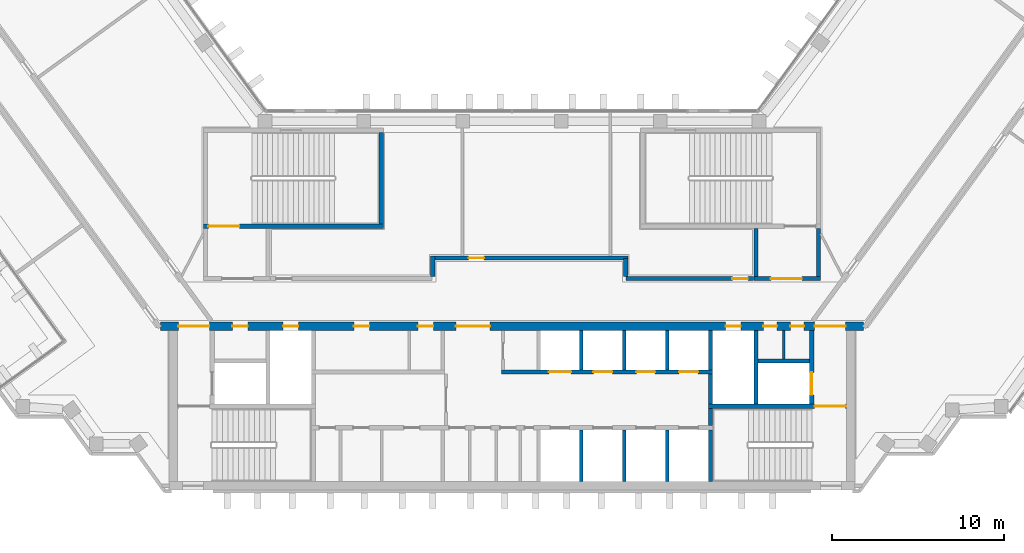
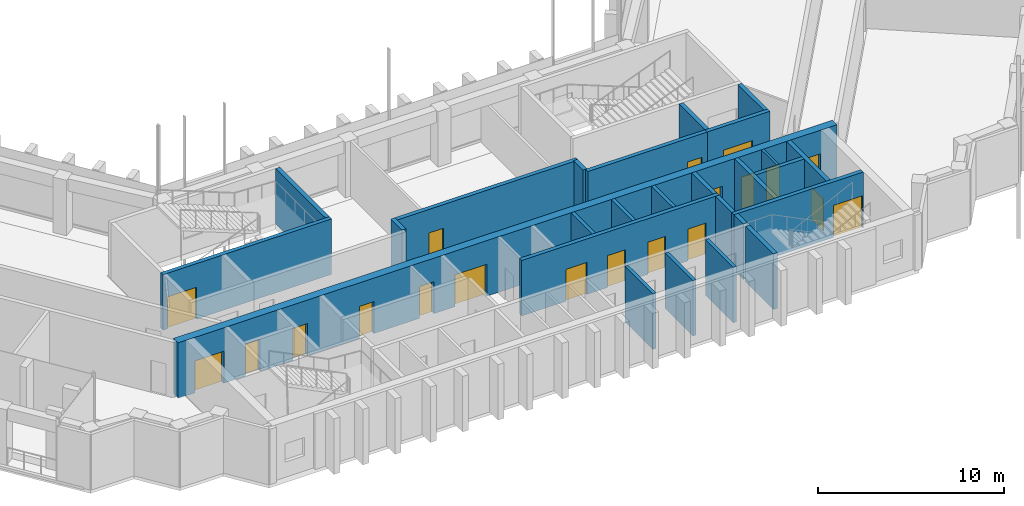
# One storey, part 10 of 15: 26 walls, 20 doors, 20 openings.
"""IFC4 building model written with IfcOpenShell, lengths in metres."""

import ifcopenshell
import ifcopenshell.guid

model = None  # the IFC model being written
_history = None  # IfcOwnerHistory: only IFC2X3 demands one
_inside = {}  # id of a spatial element -> (the spatial element, [elements in it])
_under = {}  # id of a project, library or spatial element -> (it, [spatial elements below it])
_declared = {}  # id of a project -> (the project, [libraries it declares])
_typed = {}  # id of a type object -> (the type object, [elements of that type])
_made_of = {}  # id of a material, layer set ... -> (it, [elements and type objects made of it])


def new_model(schema):
    """Start an empty IFC model of exactly this schema.

    Asked for "IFC4X3", IfcOpenShell would pick the latest addendum, in which some entities
    have other attributes; the version numbers below select the first issue.
    IFC2X3 requires an IfcOwnerHistory on every rooted entity: one is made here for all.
    """
    global model, _history
    if schema == "IFC4X3":
        model = ifcopenshell.file(schema_version=(4, 3, 0, 0))
    else:
        model = ifcopenshell.file(schema=schema)
    _inside.clear()
    _under.clear()
    _declared.clear()
    _typed.clear()
    _made_of.clear()
    _history = None
    if model.schema == "IFC2X3":
        org = make("IfcOrganization", Name="unknown")
        user = make(
            "IfcPersonAndOrganization",
            ThePerson=make("IfcPerson", FamilyName="unknown"),
            TheOrganization=org,
        )
        app = make(
            "IfcApplication",
            ApplicationDeveloper=org,
            Version="unknown",
            ApplicationFullName="unknown",
            ApplicationIdentifier="unknown",
        )
        _history = make(
            "IfcOwnerHistory",
            OwningUser=user,
            OwningApplication=app,
            ChangeAction="ADDED",
            CreationDate=0,
        )
    return model


def make(cls, **values):
    """One entity of the class cls with the attributes given. An attribute that is None is left unset."""
    return model.create_entity(
        cls, **{name: value for name, value in values.items() if value is not None}
    )


def rooted(cls, **values):
    """An entity with a GlobalId (a new one), such as an element, a storey or a relation."""
    return make(cls, GlobalId=ifcopenshell.guid.new(), OwnerHistory=_history, **values)


def si_unit(unit_type, name, prefix=None):
    """IfcSIUnit, for example si_unit("LENGTHUNIT", "METRE", prefix="MILLI")."""
    return make("IfcSIUnit", UnitType=unit_type, Prefix=prefix, Name=name)


def assignment(units):
    """IfcUnitAssignment: the units of a project."""
    return None if units is None else make("IfcUnitAssignment", Units=units)


def point(xyz):
    """IfcCartesianPoint."""
    return None if xyz is None else make("IfcCartesianPoint", Coordinates=xyz)


def direction(xyz):
    """IfcDirection."""
    return None if xyz is None else make("IfcDirection", DirectionRatios=xyz)


def frame(location, z_axis=None, x_axis=None):
    """IfcAxis2Placement3D, a coordinate frame: its origin and axes. An axis left out is left unset."""
    return make(
        "IfcAxis2Placement3D",
        Location=point(location),
        Axis=direction(z_axis),
        RefDirection=direction(x_axis),
    )


def frame_2d(location, x_axis=None):
    """IfcAxis2Placement2D, a coordinate frame in the plane: its origin and x axis."""
    return make(
        "IfcAxis2Placement2D", Location=point(location), RefDirection=direction(x_axis)
    )


def origin():
    """The frame at (0, 0, 0) with its axes left unset."""
    return frame((0.0, 0.0, 0.0))


def place(relative_to, where):
    """IfcLocalPlacement: puts the frame where relative to a parent placement (None: the world)."""
    return make(
        "IfcLocalPlacement", PlacementRelTo=relative_to, RelativePlacement=where
    )


def context(
    kind, dimensions, precision=None, world=None, true_north=None, identifier=None
):
    """IfcGeometricRepresentationContext, for example the 3D "Model" context."""
    return make(
        "IfcGeometricRepresentationContext",
        ContextIdentifier=identifier,
        ContextType=kind,
        CoordinateSpaceDimension=dimensions,
        Precision=precision,
        WorldCoordinateSystem=world,
        TrueNorth=true_north,
    )


def subcontext(parent, identifier, kind, view, scale=None):
    """IfcGeometricRepresentationSubContext, for example "Body" below "Model"."""
    return make(
        "IfcGeometricRepresentationSubContext",
        ContextIdentifier=identifier,
        ContextType=kind,
        ParentContext=parent,
        TargetScale=scale,
        TargetView=view,
    )


def project(units=None, contexts=None):
    """IfcProject with its units and contexts."""
    return rooted(
        "IfcProject",
        Name="project",
        RepresentationContexts=contexts,
        UnitsInContext=assignment(units),
    )


def spatial(cls, under=None, at=None, **own):
    """A site, building, storey or space (cls), placed at a placement, below another one or the project."""
    s = rooted(cls, ObjectPlacement=at, **own)
    if under is not None:
        _under.setdefault(under.id(), (under, []))[1].append(s)
    return s


def profile(cls, at=None, kind="AREA", **sizes):
    """A parametric profile (cls). Its sizes go by their IFC names, for example OverallWidth=200.0."""
    return make(cls, ProfileType=kind, Position=at, **sizes)


def rectangle(**sizes):
    """IfcRectangleProfileDef."""
    return profile("IfcRectangleProfileDef", **sizes)


def extrude(swept, where, along, depth):
    """IfcExtrudedAreaSolid: the profile swept, set in the frame where, extruded along a direction by depth."""
    return make(
        "IfcExtrudedAreaSolid",
        SweptArea=swept,
        Position=where,
        ExtrudedDirection=direction(along),
        Depth=depth,
    )


def shape(context_of_items, identifier, shape_type, items):
    """IfcShapeRepresentation: the items that make up one representation, for example the "Body"."""
    return make(
        "IfcShapeRepresentation",
        ContextOfItems=context_of_items,
        RepresentationIdentifier=identifier,
        RepresentationType=shape_type,
        Items=items,
    )


def material(Name=None, Category=None):
    """IfcMaterial."""
    return make("IfcMaterial", Name=Name, Category=Category)


def layer(
    of_material, thickness, ventilated=None, Name=None, Category=None, Priority=None
):
    """IfcMaterialLayer: one layer of a wall or slab, of a material (None: an air gap)."""
    return make(
        "IfcMaterialLayer",
        Material=of_material,
        LayerThickness=thickness,
        IsVentilated=ventilated,
        Name=Name,
        Category=Category,
        Priority=Priority,
    )


def layer_set(layers, Name=None):
    """IfcMaterialLayerSet."""
    return make("IfcMaterialLayerSet", MaterialLayers=layers, LayerSetName=Name)


def made_of(thing, what):
    """Note that an element or type object is made of a material, layer set ...; save() writes the relation."""
    if what is not None:
        _made_of.setdefault(what.id(), (what, []))[1].append(thing)
    return thing


def type_object(cls, material=None, **own):
    """A type object (cls), such as IfcWallType, which elements share."""
    return made_of(rooted(cls, **own), material)


def element(
    cls,
    number,
    at=None,
    inside=None,
    cuts=None,
    type_object=None,
    material=None,
    context=None,
    identifier="Body",
    shape_type=None,
    held_by="IfcProductDefinitionShape",
    body=None,
    shapes=None,
    **own,
):
    """One element of the class cls, such as IfcWall. Its Tag is "e" and its number.

    at: its placement. inside: the storey or other place that contains it. cuts: it is an
    opening in that element (IfcRelVoidsElement). A single representation is given by context,
    identifier, shape_type and body (its items); several are given by shapes. held_by: the class
    of the entity that holds the representations. save() writes the other relations.
    """
    e = rooted(cls, Tag="e%d" % number, ObjectPlacement=at, **own)
    if body is not None:
        shapes = [shape(context, identifier, shape_type, body)]
    if shapes is not None:
        e.Representation = make(held_by, Representations=shapes)
    if inside is not None:
        _inside.setdefault(inside.id(), (inside, []))[1].append(e)
    if cuts is not None:
        rooted(
            "IfcRelVoidsElement", RelatingBuildingElement=cuts, RelatedOpeningElement=e
        )
    if type_object is not None:
        _typed.setdefault(type_object.id(), (type_object, []))[1].append(e)
    return made_of(e, material)


def fill(opening, filler):
    """IfcRelFillsElement: the door or window that sits in an opening."""
    return rooted(
        "IfcRelFillsElement",
        RelatingOpeningElement=opening,
        RelatedBuildingElement=filler,
    )


def aggregate(whole, parts):
    """IfcRelAggregates: a whole, such as a stair, and the parts it consists of."""
    return rooted("IfcRelAggregates", RelatingObject=whole, RelatedObjects=parts)


def save(model, path):
    """Write the relations noted so far, then the file.

    IfcRelAggregates (storeys below a building ...), IfcRelContainedInSpatialStructure (elements
    in a storey), IfcRelDefinesByType, IfcRelAssociatesMaterial and IfcRelDeclares: one each for
    every whole, place, type object, material and project.
    """
    for whole, parts in _under.values():
        aggregate(whole, parts)
    for where, things in _inside.values():
        rooted(
            "IfcRelContainedInSpatialStructure",
            RelatedElements=things,
            RelatingStructure=where,
        )
    for kind, things in _typed.values():
        rooted("IfcRelDefinesByType", RelatedObjects=things, RelatingType=kind)
    for what, things in _made_of.values():
        rooted("IfcRelAssociatesMaterial", RelatedObjects=things, RelatingMaterial=what)
    for by, libraries in _declared.values():
        rooted("IfcRelDeclares", RelatingContext=by, RelatedDefinitions=libraries)
    model.write(path)


model = new_model("IFC4")

# Units and contexts
model_context = context("Model", 3, precision=1e-05, world=origin(), true_north=direction((0.0, 1.0)))
body_context = subcontext(model_context, "Body", "Model", "MODEL_VIEW")
ifc_project = project(units=[si_unit("LENGTHUNIT", "METRE"), si_unit("AREAUNIT", "SQUARE_METRE"), si_unit("VOLUMEUNIT", "CUBIC_METRE"), si_unit("PLANEANGLEUNIT", "RADIAN"), si_unit("MASSUNIT", "GRAM", prefix="KILO")], contexts=[model_context])

# Site, building, storey
site_placement = place(None, origin())
site = spatial("IfcSite", under=ifc_project, at=site_placement, CompositionType="ELEMENT")
building_placement = place(site_placement, origin())
building = spatial("IfcBuilding", under=site, at=building_placement, Name="Quipu Civic Tower", CompositionType="ELEMENT")
storey_placement = place(building_placement, frame((0.0, 0.0, 160.0)))
storey = spatial("IfcBuildingStorey", under=building, at=storey_placement, Name="L37", CompositionType="ELEMENT", Elevation=160.0)

# Walls
ifc_material_1 = material(Name="Concrete C70/85", Category="concrete")
ifc_layer_1 = layer(ifc_material_1, 0.25)
ifc_layer_set_1 = layer_set([ifc_layer_1], Name="Concrete C70/85")
wall_type_1 = type_object("IfcWallType", Name="Core wall 250", PredefinedType="SHEAR", material=ifc_layer_set_1)
wall_1_placement = place(storey_placement, frame((11.574951171875, -10.5, 0.0), z_axis=(0.0, 0.0, 1.0), x_axis=(0.0, 1.0, 0.0)))
element("IfcWall", 1, at=wall_1_placement, inside=storey, type_object=wall_type_1, Name="Core wall", PredefinedType="SHEAR", context=body_context, shape_type="SweptSolid", body=[
    extrude(rectangle(XDim=3.0, YDim=0.25, at=frame_2d((1.5, 0.0))), origin(), (0.0, 0.0, 1.0), 3.64990234375),
])
wall_2_placement = place(storey_placement, frame((11.574951171875, -7.25, 0.0), z_axis=(0.0, 0.0, 1.0), x_axis=(0.0, 1.0, 0.0)))
element("IfcWall", 2, at=wall_2_placement, inside=storey, type_object=wall_type_1, Name="Core wall", PredefinedType="SHEAR", context=body_context, shape_type="SweptSolid", body=[
    extrude(rectangle(XDim=1.0, YDim=0.25, at=frame_2d((0.5, 0.0))), origin(), (0.0, 0.0, 1.0), 3.64990234375),
])

# Wall, opening, door
wall_3_placement = place(storey_placement, frame((19.5, -6.125, 0.0), z_axis=(0.0, 0.0, 1.0), x_axis=(-1.0, 0.0, 0.0)))
wall_3 = element("IfcWall", 3, at=wall_3_placement, inside=storey, type_object=wall_type_1, Name="Core wall", PredefinedType="SHEAR", context=body_context, shape_type="SweptSolid", body=[
    extrude(rectangle(XDim=8.050048828125, YDim=0.25, at=frame_2d((4.02490234375, 0.0))), origin(), (0.0, 0.0, 1.0), 3.64990234375),
])
opening_1_placement = place(wall_3_placement, frame((0.050048828125, 0.0, 0.0)))
opening_1 = element("IfcOpeningElement", 4, at=opening_1_placement, cuts=wall_3, Name="Opening CD-09", PredefinedType="OPENING", context=body_context, shape_type="SweptSolid", body=[
    extrude(rectangle(XDim=1.800048828125, YDim=2.10009765625, at=frame_2d((0.89990234375, 1.050048828125))), frame((0.0, 0.135009765625, 0.0), z_axis=(0.0, -1.0, 0.0), x_axis=(1.0, 0.0, 0.0)), (0.0, 0.0, 1.0), 0.27001953125),
])
ifc_material_2 = material(Name="Fire rated steel door", Category="steel")
door_type_1 = type_object("IfcDoorType", Name="Fire door FD90 double 1800 x 2100", OperationType="NOTDEFINED", PredefinedType="DOOR", material=ifc_material_2)
door_1_placement = place(opening_1_placement, origin())
door_1 = element("IfcDoor", 5, at=door_1_placement, inside=storey, type_object=door_type_1, Name="Door", OperationType="DOUBLE_DOOR_SINGLE_SWING", OverallHeight=2.10009765625, OverallWidth=1.800048828125, PredefinedType="DOOR", context=body_context, shape_type="SweptSolid", body=[
    extrude(rectangle(XDim=1.800048828125, YDim=2.10009765625, at=frame_2d((0.89990234375, 1.050048828125))), frame((0.0, 0.02490234375, 0.0), z_axis=(0.0, -1.0, 0.0), x_axis=(1.0, 0.0, 0.0)), (0.0, 0.0, 1.0), 0.050048828125),
])
fill(opening_1, door_1)

# Walls
wall_4_placement = place(storey_placement, frame((11.574951171875, -6.0, 0.0), z_axis=(0.0, 0.0, 1.0), x_axis=(0.0, 1.0, 0.0)))
element("IfcWall", 6, at=wall_4_placement, inside=storey, type_object=wall_type_1, Name="Core wall", PredefinedType="SHEAR", context=body_context, shape_type="SweptSolid", body=[
    extrude(rectangle(XDim=1.75, YDim=0.25, at=frame_2d((0.875, 0.0))), origin(), (0.0, 0.0, 1.0), 3.64990234375),
])
wall_5_placement = place(storey_placement, frame((14.22509765625, -6.0, 0.0), z_axis=(0.0, 0.0, 1.0), x_axis=(0.0, 1.0, 0.0)))
element("IfcWall", 7, at=wall_5_placement, inside=storey, type_object=wall_type_1, Name="Core wall", PredefinedType="SHEAR", context=body_context, shape_type="SweptSolid", body=[
    extrude(rectangle(XDim=4.300048828125, YDim=0.25, at=frame_2d((2.14990234375, 0.0))), origin(), (0.0, 0.0, 1.0), 3.64990234375),
])

# Wall, opening, door
wall_6_placement = place(storey_placement, frame((17.47509765625, -6.0, 0.0), z_axis=(0.0, 0.0, 1.0), x_axis=(0.0, 1.0, 0.0)))
wall_6 = element("IfcWall", 8, at=wall_6_placement, inside=storey, type_object=wall_type_1, Name="Core wall", PredefinedType="SHEAR", context=body_context, shape_type="SweptSolid", body=[
    extrude(rectangle(XDim=4.300048828125, YDim=0.25, at=frame_2d((2.14990234375, 0.0))), origin(), (0.0, 0.0, 1.0), 3.64990234375),
])
opening_2_placement = place(wall_6_placement, frame((0.550048828125, 0.0, 0.0)))
opening_2 = element("IfcOpeningElement", 9, at=opening_2_placement, cuts=wall_6, Name="Opening LD-FF2", PredefinedType="OPENING", context=body_context, shape_type="SweptSolid", body=[
    extrude(rectangle(XDim=1.300048828125, YDim=2.10009765625, at=frame_2d((0.64990234375, 1.050048828125))), frame((0.0, 0.135009765625, 0.0), z_axis=(0.0, -1.0, 0.0), x_axis=(1.0, 0.0, 0.0)), (0.0, 0.0, 1.0), 0.27001953125),
])
ifc_material_3 = material(Name="Stainless steel", Category="steel")
door_type_2 = type_object("IfcDoorType", Name="Lift landing door 1300 x 2100", OperationType="DOUBLE_DOOR_SLIDING", PredefinedType="DOOR", material=ifc_material_3)
door_2_placement = place(opening_2_placement, origin())
door_2 = element("IfcDoor", 10, at=door_2_placement, inside=storey, type_object=door_type_2, Name="Landing door FF2", OperationType="DOUBLE_DOOR_SLIDING", OverallHeight=2.10009765625, OverallWidth=1.300048828125, PredefinedType="DOOR", context=body_context, shape_type="SweptSolid", body=[
    extrude(rectangle(XDim=1.300048828125, YDim=2.10009765625, at=frame_2d((0.64990234375, 1.050048828125))), frame((0.0, 0.02490234375, 0.0), z_axis=(0.0, -1.0, 0.0), x_axis=(1.0, 0.0, 0.0)), (0.0, 0.0, 1.0), 0.050048828125),
])
fill(opening_2, door_2)

# Wall, openings, doors
wall_7_placement = place(storey_placement, frame((-0.60009765625, -4.125, 0.0), z_axis=(0.0, 0.0, 1.0), x_axis=(1.0, 0.0, 0.0)))
wall_7 = element("IfcWall", 11, at=wall_7_placement, inside=storey, type_object=wall_type_1, Name="Core wall", PredefinedType="SHEAR", context=body_context, shape_type="SweptSolid", body=[
    extrude(rectangle(XDim=12.300048828125, YDim=0.25, at=frame_2d((6.14990234375, 0.0))), origin(), (0.0, 0.0, 1.0), 3.64990234375),
])
opening_3_placement = place(wall_7_placement, frame((2.75, 0.0, 0.0)))
opening_3 = element("IfcOpeningElement", 12, at=opening_3_placement, cuts=wall_7, Name="Opening LD-FF3", PredefinedType="OPENING", context=body_context, shape_type="SweptSolid", body=[
    extrude(rectangle(XDim=1.300048828125, YDim=2.10009765625, at=frame_2d((0.64990234375, 1.050048828125))), frame((0.0, 0.135009765625, 0.0), z_axis=(0.0, -1.0, 0.0), x_axis=(1.0, 0.0, 0.0)), (0.0, 0.0, 1.0), 0.27001953125),
])
opening_4_placement = place(wall_7_placement, frame((5.35009765625, 0.0, 0.0)))
opening_4 = element("IfcOpeningElement", 13, at=opening_4_placement, cuts=wall_7, Name="Opening LD-ML5", PredefinedType="OPENING", context=body_context, shape_type="SweptSolid", body=[
    extrude(rectangle(XDim=1.10009765625, YDim=2.10009765625, at=frame_2d((0.550048828125, 1.050048828125))), frame((0.0, 0.135009765625, 0.0), z_axis=(0.0, -1.0, 0.0), x_axis=(1.0, 0.0, 0.0)), (0.0, 0.0, 1.0), 0.27001953125),
])
opening_5_placement = place(wall_7_placement, frame((7.85009765625, 0.0, 0.0)))
opening_5 = element("IfcOpeningElement", 14, at=opening_5_placement, cuts=wall_7, Name="Opening LD-ML6", PredefinedType="OPENING", context=body_context, shape_type="SweptSolid", body=[
    extrude(rectangle(XDim=1.10009765625, YDim=2.10009765625, at=frame_2d((0.550048828125, 1.050048828125))), frame((0.0, 0.135009765625, 0.0), z_axis=(0.0, -1.0, 0.0), x_axis=(1.0, 0.0, 0.0)), (0.0, 0.0, 1.0), 0.27001953125),
])
opening_6_placement = place(wall_7_placement, frame((10.35009765625, 0.0, 0.0)))
opening_6 = element("IfcOpeningElement", 15, at=opening_6_placement, cuts=wall_7, Name="Opening LD-ML7", PredefinedType="OPENING", context=body_context, shape_type="SweptSolid", body=[
    extrude(rectangle(XDim=1.10009765625, YDim=2.10009765625, at=frame_2d((0.550048828125, 1.050048828125))), frame((0.0, 0.135009765625, 0.0), z_axis=(0.0, -1.0, 0.0), x_axis=(1.0, 0.0, 0.0)), (0.0, 0.0, 1.0), 0.27001953125),
])
ifc_material_4 = material(Name="Stainless steel", Category="steel")
door_type_3 = type_object("IfcDoorType", Name="Lift landing door 1100 x 2100", OperationType="DOUBLE_DOOR_SLIDING", PredefinedType="DOOR", material=ifc_material_4)
door_3_placement = place(opening_4_placement, origin())
door_3 = element("IfcDoor", 16, at=door_3_placement, inside=storey, type_object=door_type_3, Name="Landing door ML5", OperationType="DOUBLE_DOOR_SLIDING", OverallHeight=2.10009765625, OverallWidth=1.10009765625, PredefinedType="DOOR", context=body_context, shape_type="SweptSolid", body=[
    extrude(rectangle(XDim=1.10009765625, YDim=2.10009765625, at=frame_2d((0.550048828125, 1.050048828125))), frame((0.0, 0.02490234375, 0.0), z_axis=(0.0, -1.0, 0.0), x_axis=(1.0, 0.0, 0.0)), (0.0, 0.0, 1.0), 0.050048828125),
])
fill(opening_4, door_3)
door_4_placement = place(opening_5_placement, origin())
door_4 = element("IfcDoor", 17, at=door_4_placement, inside=storey, type_object=door_type_3, Name="Landing door ML6", OperationType="DOUBLE_DOOR_SLIDING", OverallHeight=2.10009765625, OverallWidth=1.10009765625, PredefinedType="DOOR", context=body_context, shape_type="SweptSolid", body=[
    extrude(rectangle(XDim=1.10009765625, YDim=2.10009765625, at=frame_2d((0.550048828125, 1.050048828125))), frame((0.0, 0.02490234375, 0.0), z_axis=(0.0, -1.0, 0.0), x_axis=(1.0, 0.0, 0.0)), (0.0, 0.0, 1.0), 0.050048828125),
])
fill(opening_5, door_4)
door_5_placement = place(opening_6_placement, origin())
door_5 = element("IfcDoor", 18, at=door_5_placement, inside=storey, type_object=door_type_3, Name="Landing door ML7", OperationType="DOUBLE_DOOR_SLIDING", OverallHeight=2.10009765625, OverallWidth=1.10009765625, PredefinedType="DOOR", context=body_context, shape_type="SweptSolid", body=[
    extrude(rectangle(XDim=1.10009765625, YDim=2.10009765625, at=frame_2d((0.550048828125, 1.050048828125))), frame((0.0, 0.02490234375, 0.0), z_axis=(0.0, -1.0, 0.0), x_axis=(1.0, 0.0, 0.0)), (0.0, 0.0, 1.0), 0.050048828125),
])
fill(opening_6, door_5)
door_6_placement = place(opening_3_placement, origin())
door_6 = element("IfcDoor", 19, at=door_6_placement, inside=storey, type_object=door_type_2, Name="Landing door FF3", OperationType="DOUBLE_DOOR_SLIDING", OverallHeight=2.10009765625, OverallWidth=1.300048828125, PredefinedType="DOOR", context=body_context, shape_type="SweptSolid", body=[
    extrude(rectangle(XDim=1.300048828125, YDim=2.10009765625, at=frame_2d((0.64990234375, 1.050048828125))), frame((0.0, 0.02490234375, 0.0), z_axis=(0.0, -1.0, 0.0), x_axis=(1.0, 0.0, 0.0)), (0.0, 0.0, 1.0), 0.050048828125),
])
fill(opening_3, door_6)

# Walls
wall_8_placement = place(storey_placement, frame((11.574951171875, -4.0, 0.0), z_axis=(0.0, 0.0, 1.0), x_axis=(0.0, 1.0, 0.0)))
element("IfcWall", 20, at=wall_8_placement, inside=storey, type_object=wall_type_1, Name="Core wall", PredefinedType="SHEAR", context=body_context, shape_type="SweptSolid", body=[
    extrude(rectangle(XDim=2.300048828125, YDim=0.25, at=frame_2d((1.14990234375, 0.0))), origin(), (0.0, 0.0, 1.0), 3.64990234375),
])
wall_9_placement = place(storey_placement, frame((14.35009765625, -3.47509765625, 0.0), z_axis=(0.0, 0.0, 1.0), x_axis=(1.0, 0.0, 0.0)))
element("IfcWall", 21, at=wall_9_placement, inside=storey, type_object=wall_type_1, Name="Core wall", PredefinedType="SHEAR", context=body_context, shape_type="SweptSolid", body=[
    extrude(rectangle(XDim=3.0, YDim=0.25, at=frame_2d((1.5, 0.0))), origin(), (0.0, 0.0, 1.0), 3.64990234375),
])

# Wall, opening, door
wall_10_placement = place(storey_placement, frame((-18.0, 4.375, 0.0), z_axis=(0.0, 0.0, 1.0), x_axis=(1.0, 0.0, 0.0)))
wall_10 = element("IfcWall", 22, at=wall_10_placement, inside=storey, type_object=wall_type_1, Name="Core wall", PredefinedType="SHEAR", context=body_context, shape_type="SweptSolid", body=[
    extrude(rectangle(XDim=10.5, YDim=0.25, at=frame_2d((5.25, 0.0))), origin(), (0.0, 0.0, 1.0), 3.64990234375),
])
opening_7_placement = place(wall_10_placement, frame((0.300048828125, 0.0, 0.0)))
opening_7 = element("IfcOpeningElement", 23, at=opening_7_placement, cuts=wall_10, Name="Opening CD-23", PredefinedType="OPENING", context=body_context, shape_type="SweptSolid", body=[
    extrude(rectangle(XDim=1.800048828125, YDim=2.10009765625, at=frame_2d((0.89990234375, 1.050048828125))), frame((0.0, 0.135009765625, 0.0), z_axis=(0.0, -1.0, 0.0), x_axis=(1.0, 0.0, 0.0)), (0.0, 0.0, 1.0), 0.27001953125),
])
door_7_placement = place(opening_7_placement, origin())
door_7 = element("IfcDoor", 24, at=door_7_placement, inside=storey, type_object=door_type_1, Name="Door", OperationType="DOUBLE_DOOR_SINGLE_SWING", OverallHeight=2.10009765625, OverallWidth=1.800048828125, PredefinedType="DOOR", context=body_context, shape_type="SweptSolid", body=[
    extrude(rectangle(XDim=1.800048828125, YDim=2.10009765625, at=frame_2d((0.89990234375, 1.050048828125))), frame((0.0, 0.02490234375, 0.0), z_axis=(0.0, -1.0, 0.0), x_axis=(1.0, 0.0, 0.0)), (0.0, 0.0, 1.0), 0.050048828125),
])
fill(opening_7, door_7)

# Wall
wall_11_placement = place(storey_placement, frame((-7.625, 4.5, 0.0), z_axis=(0.0, 0.0, 1.0), x_axis=(0.0, 1.0, 0.0)))
element("IfcWall", 25, at=wall_11_placement, inside=storey, type_object=wall_type_1, Name="Core wall", PredefinedType="SHEAR", context=body_context, shape_type="SweptSolid", body=[
    extrude(rectangle(XDim=5.35009765625, YDim=0.25, at=frame_2d((2.675048828125, 0.0))), origin(), (0.0, 0.0, 1.0), 3.64990234375),
])

# Wall, opening, door
wall_12_placement = place(storey_placement, frame((14.10009765625, 1.324951171875, 0.0), z_axis=(0.0, 0.0, 1.0), x_axis=(1.0, 0.0, 0.0)))
wall_12 = element("IfcWall", 26, at=wall_12_placement, inside=storey, type_object=wall_type_1, Name="Core wall", PredefinedType="SHEAR", context=body_context, shape_type="SweptSolid", body=[
    extrude(rectangle(XDim=3.89990234375, YDim=0.25, at=frame_2d((1.949951171875, 0.0))), origin(), (0.0, 0.0, 1.0), 3.64990234375),
])
opening_8_placement = place(wall_12_placement, frame((1.0, 0.0, 0.0)))
opening_8 = element("IfcOpeningElement", 27, at=opening_8_placement, cuts=wall_12, Name="Opening CD-24", PredefinedType="OPENING", context=body_context, shape_type="SweptSolid", body=[
    extrude(rectangle(XDim=1.800048828125, YDim=2.10009765625, at=frame_2d((0.89990234375, 1.050048828125))), frame((0.0, 0.135009765625, 0.0), z_axis=(0.0, -1.0, 0.0), x_axis=(1.0, 0.0, 0.0)), (0.0, 0.0, 1.0), 0.27001953125),
])
door_8_placement = place(opening_8_placement, origin())
door_8 = element("IfcDoor", 28, at=door_8_placement, inside=storey, type_object=door_type_1, Name="Lobby door", OperationType="DOUBLE_DOOR_SINGLE_SWING", OverallHeight=2.10009765625, OverallWidth=1.800048828125, PredefinedType="DOOR", context=body_context, shape_type="SweptSolid", body=[
    extrude(rectangle(XDim=1.800048828125, YDim=2.10009765625, at=frame_2d((0.89990234375, 1.050048828125))), frame((0.0, 0.02490234375, 0.0), z_axis=(0.0, -1.0, 0.0), x_axis=(1.0, 0.0, 0.0)), (0.0, 0.0, 1.0), 0.050048828125),
])
fill(opening_8, door_8)

# Walls
for number, where, z_axis, x_axis, name in (
    (29, (14.22509765625, 1.449951171875, 0.0), (0.0, 0.0, 1.0), (0.0, 1.0, 0.0), "Core wall"),
    (30, (17.875, 1.449951171875, 0.0), (0.0, 0.0, 1.0), (0.0, 1.0, 0.0), "Core wall"),
):
    element("IfcWall", number, at=place(storey_placement, frame(where, z_axis=z_axis, x_axis=x_axis)), inside=storey, type_object=wall_type_1, Name=name, PredefinedType="SHEAR", context=body_context, shape_type="SweptSolid", body=[
        extrude(rectangle(XDim=2.800048828125, YDim=0.25, at=frame_2d((1.39990234375, 0.0))), origin(), (0.0, 0.0, 1.0), 3.64990234375),
    ])

# Wall, openings, doors
ifc_material_5 = material(Name="Concrete C70/85", Category="concrete")
ifc_layer_2 = layer(ifc_material_5, 0.5)
ifc_layer_set_2 = layer_set([ifc_layer_2], Name="Concrete C70/85")
wall_type_2 = type_object("IfcWallType", Name="Core wall 500", PredefinedType="SHEAR", material=ifc_layer_set_2)
wall_13_placement = place(storey_placement, frame((20.489990234375, -1.449951171875, 0.0), z_axis=(0.0, 0.0, 1.0), x_axis=(-1.0, 0.0, 0.0)))
wall_13 = element("IfcWall", 31, at=wall_13_placement, inside=storey, type_object=wall_type_2, Name="Core wall", PredefinedType="SHEAR", context=body_context, shape_type="SweptSolid", body=[
    extrude(rectangle(XDim=40.97998046875, YDim=0.5, at=frame_2d((20.489990234375, 0.0))), origin(), (0.0, 0.0, 1.0), 3.64990234375),
])
opening_9_placement = place(wall_13_placement, frame((38.139892578125, 0.0, 0.0)))
opening_9 = element("IfcOpeningElement", 32, at=opening_9_placement, cuts=wall_13, Name="Opening CD-12", PredefinedType="OPENING", context=body_context, shape_type="SweptSolid", body=[
    extrude(rectangle(XDim=1.800048828125, YDim=2.10009765625, at=frame_2d((0.89990234375, 1.050048828125))), frame((0.0, 0.260009765625, 0.0), z_axis=(0.0, -1.0, 0.0), x_axis=(1.0, 0.0, 0.0)), (0.0, 0.0, 1.0), 0.52001953125),
])
opening_10_placement = place(wall_13_placement, frame((35.889892578125, 0.0, 0.0)))
opening_10 = element("IfcOpeningElement", 33, at=opening_10_placement, cuts=wall_13, Name="Opening CD-13", PredefinedType="OPENING", context=body_context, shape_type="SweptSolid", body=[
    extrude(rectangle(XDim=0.89990234375, YDim=2.10009765625, at=frame_2d((0.449951171875, 1.050048828125))), frame((0.0, 0.260009765625, 0.0), z_axis=(0.0, -1.0, 0.0), x_axis=(1.0, 0.0, 0.0)), (0.0, 0.0, 1.0), 0.52001953125),
])
opening_11_placement = place(wall_13_placement, frame((32.93994140625, 0.0, 0.0)))
opening_11 = element("IfcOpeningElement", 34, at=opening_11_placement, cuts=wall_13, Name="Opening CD-14", PredefinedType="OPENING", context=body_context, shape_type="SweptSolid", body=[
    extrude(rectangle(XDim=0.89990234375, YDim=2.10009765625, at=frame_2d((0.449951171875, 1.050048828125))), frame((0.0, 0.260009765625, 0.0), z_axis=(0.0, -1.0, 0.0), x_axis=(1.0, 0.0, 0.0)), (0.0, 0.0, 1.0), 0.52001953125),
])
opening_12_placement = place(wall_13_placement, frame((28.802490234375, 0.0, 0.0)))
opening_12 = element("IfcOpeningElement", 35, at=opening_12_placement, cuts=wall_13, Name="Opening CD-15", PredefinedType="OPENING", context=body_context, shape_type="SweptSolid", body=[
    extrude(rectangle(XDim=0.89990234375, YDim=2.10009765625, at=frame_2d((0.449951171875, 1.050048828125))), frame((0.0, 0.260009765625, 0.0), z_axis=(0.0, -1.0, 0.0), x_axis=(1.0, 0.0, 0.0)), (0.0, 0.0, 1.0), 0.52001953125),
])
opening_13_placement = place(wall_13_placement, frame((25.077392578125, 0.0, 0.0)))
opening_13 = element("IfcOpeningElement", 36, at=opening_13_placement, cuts=wall_13, Name="Opening CD-16", PredefinedType="OPENING", context=body_context, shape_type="SweptSolid", body=[
    extrude(rectangle(XDim=0.89990234375, YDim=2.10009765625, at=frame_2d((0.449951171875, 1.050048828125))), frame((0.0, 0.260009765625, 0.0), z_axis=(0.0, -1.0, 0.0), x_axis=(1.0, 0.0, 0.0)), (0.0, 0.0, 1.0), 0.52001953125),
])
opening_14_placement = place(wall_13_placement, frame((21.764892578125, 0.0, 0.0)))
opening_14 = element("IfcOpeningElement", 37, at=opening_14_placement, cuts=wall_13, Name="Opening CD-17", PredefinedType="OPENING", context=body_context, shape_type="SweptSolid", body=[
    extrude(rectangle(XDim=2.0, YDim=2.10009765625, at=frame_2d((1.0, 1.050048828125))), frame((0.0, 0.260009765625, 0.0), z_axis=(0.0, -1.0, 0.0), x_axis=(1.0, 0.0, 0.0)), (0.0, 0.0, 1.0), 0.52001953125),
])
opening_15_placement = place(wall_13_placement, frame((7.139892578125, 0.0, 0.0)))
opening_15 = element("IfcOpeningElement", 38, at=opening_15_placement, cuts=wall_13, Name="Opening CD-18", PredefinedType="OPENING", context=body_context, shape_type="SweptSolid", body=[
    extrude(rectangle(XDim=0.89990234375, YDim=2.10009765625, at=frame_2d((0.449951171875, 1.050048828125))), frame((0.0, 0.260009765625, 0.0), z_axis=(0.0, -1.0, 0.0), x_axis=(1.0, 0.0, 0.0)), (0.0, 0.0, 1.0), 0.52001953125),
])
opening_16_placement = place(wall_13_placement, frame((5.027587890625, 0.0, 0.0)))
opening_16 = element("IfcOpeningElement", 39, at=opening_16_placement, cuts=wall_13, Name="Opening CD-19", PredefinedType="OPENING", context=body_context, shape_type="SweptSolid", body=[
    extrude(rectangle(XDim=0.800048828125, YDim=2.10009765625, at=frame_2d((0.39990234375, 1.050048828125))), frame((0.0, 0.260009765625, 0.0), z_axis=(0.0, -1.0, 0.0), x_axis=(1.0, 0.0, 0.0)), (0.0, 0.0, 1.0), 0.52001953125),
])
opening_17_placement = place(wall_13_placement, frame((3.452392578125, 0.0, 0.0)))
opening_17 = element("IfcOpeningElement", 40, at=opening_17_placement, cuts=wall_13, Name="Opening CD-20", PredefinedType="OPENING", context=body_context, shape_type="SweptSolid", body=[
    extrude(rectangle(XDim=0.800048828125, YDim=2.10009765625, at=frame_2d((0.39990234375, 1.050048828125))), frame((0.0, 0.260009765625, 0.0), z_axis=(0.0, -1.0, 0.0), x_axis=(1.0, 0.0, 0.0)), (0.0, 0.0, 1.0), 0.52001953125),
])
opening_18_placement = place(wall_13_placement, frame((1.0400390625, 0.0, 0.0)))
opening_18 = element("IfcOpeningElement", 41, at=opening_18_placement, cuts=wall_13, Name="Opening CD-21", PredefinedType="OPENING", context=body_context, shape_type="SweptSolid", body=[
    extrude(rectangle(XDim=1.800048828125, YDim=2.10009765625, at=frame_2d((0.89990234375, 1.050048828125))), frame((0.0, 0.260009765625, 0.0), z_axis=(0.0, -1.0, 0.0), x_axis=(1.0, 0.0, 0.0)), (0.0, 0.0, 1.0), 0.52001953125),
])
ifc_material_6 = material(Name="Fire rated steel door", Category="steel")
door_type_4 = type_object("IfcDoorType", Name="Fire door FD60 800 x 2100", OperationType="NOTDEFINED", PredefinedType="DOOR", material=ifc_material_6)
door_9_placement = place(opening_16_placement, origin())
door_9 = element("IfcDoor", 42, at=door_9_placement, inside=storey, type_object=door_type_4, Name="Door", OperationType="SINGLE_SWING_LEFT", OverallHeight=2.10009765625, OverallWidth=0.800048828125, PredefinedType="DOOR", context=body_context, shape_type="SweptSolid", body=[
    extrude(rectangle(XDim=0.800048828125, YDim=2.10009765625, at=frame_2d((0.39990234375, 1.050048828125))), frame((0.0, 0.02490234375, 0.0), z_axis=(0.0, -1.0, 0.0), x_axis=(1.0, 0.0, 0.0)), (0.0, 0.0, 1.0), 0.050048828125),
])
fill(opening_16, door_9)
door_10_placement = place(opening_17_placement, origin())
door_10 = element("IfcDoor", 43, at=door_10_placement, inside=storey, type_object=door_type_4, Name="Door", OperationType="SINGLE_SWING_LEFT", OverallHeight=2.10009765625, OverallWidth=0.800048828125, PredefinedType="DOOR", context=body_context, shape_type="SweptSolid", body=[
    extrude(rectangle(XDim=0.800048828125, YDim=2.10009765625, at=frame_2d((0.39990234375, 1.050048828125))), frame((0.0, 0.02490234375, 0.0), z_axis=(0.0, -1.0, 0.0), x_axis=(1.0, 0.0, 0.0)), (0.0, 0.0, 1.0), 0.050048828125),
])
fill(opening_17, door_10)
ifc_material_7 = material(Name="Fire rated steel door", Category="steel")
door_type_5 = type_object("IfcDoorType", Name="Fire door FD60 900 x 2100", OperationType="NOTDEFINED", PredefinedType="DOOR", material=ifc_material_7)
door_11_placement = place(opening_10_placement, origin())
door_11 = element("IfcDoor", 44, at=door_11_placement, inside=storey, type_object=door_type_5, Name="Door", OperationType="SINGLE_SWING_RIGHT", OverallHeight=2.10009765625, OverallWidth=0.89990234375, PredefinedType="DOOR", context=body_context, shape_type="SweptSolid", body=[
    extrude(rectangle(XDim=0.89990234375, YDim=2.10009765625, at=frame_2d((0.449951171875, 1.050048828125))), frame((0.0, 0.02490234375, 0.0), z_axis=(0.0, -1.0, 0.0), x_axis=(1.0, 0.0, 0.0)), (0.0, 0.0, 1.0), 0.050048828125),
])
fill(opening_10, door_11)
door_12_placement = place(opening_11_placement, origin())
door_12 = element("IfcDoor", 45, at=door_12_placement, inside=storey, type_object=door_type_5, Name="Riser door", OperationType="SINGLE_SWING_RIGHT", OverallHeight=2.10009765625, OverallWidth=0.89990234375, PredefinedType="DOOR", context=body_context, shape_type="SweptSolid", body=[
    extrude(rectangle(XDim=0.89990234375, YDim=2.10009765625, at=frame_2d((0.449951171875, 1.050048828125))), frame((0.0, 0.02490234375, 0.0), z_axis=(0.0, -1.0, 0.0), x_axis=(1.0, 0.0, 0.0)), (0.0, 0.0, 1.0), 0.050048828125),
])
fill(opening_11, door_12)
door_13_placement = place(opening_12_placement, origin())
door_13 = element("IfcDoor", 46, at=door_13_placement, inside=storey, type_object=door_type_5, Name="Door", OperationType="SINGLE_SWING_RIGHT", OverallHeight=2.10009765625, OverallWidth=0.89990234375, PredefinedType="DOOR", context=body_context, shape_type="SweptSolid", body=[
    extrude(rectangle(XDim=0.89990234375, YDim=2.10009765625, at=frame_2d((0.449951171875, 1.050048828125))), frame((0.0, 0.02490234375, 0.0), z_axis=(0.0, -1.0, 0.0), x_axis=(1.0, 0.0, 0.0)), (0.0, 0.0, 1.0), 0.050048828125),
])
fill(opening_12, door_13)
door_14_placement = place(opening_13_placement, origin())
door_14 = element("IfcDoor", 47, at=door_14_placement, inside=storey, type_object=door_type_5, Name="Door", OperationType="SINGLE_SWING_RIGHT", OverallHeight=2.10009765625, OverallWidth=0.89990234375, PredefinedType="DOOR", context=body_context, shape_type="SweptSolid", body=[
    extrude(rectangle(XDim=0.89990234375, YDim=2.10009765625, at=frame_2d((0.449951171875, 1.050048828125))), frame((0.0, 0.02490234375, 0.0), z_axis=(0.0, -1.0, 0.0), x_axis=(1.0, 0.0, 0.0)), (0.0, 0.0, 1.0), 0.050048828125),
])
fill(opening_13, door_14)
door_15_placement = place(opening_15_placement, origin())
door_15 = element("IfcDoor", 48, at=door_15_placement, inside=storey, type_object=door_type_5, Name="Riser door", OperationType="SINGLE_SWING_LEFT", OverallHeight=2.10009765625, OverallWidth=0.89990234375, PredefinedType="DOOR", context=body_context, shape_type="SweptSolid", body=[
    extrude(rectangle(XDim=0.89990234375, YDim=2.10009765625, at=frame_2d((0.449951171875, 1.050048828125))), frame((0.0, 0.02490234375, 0.0), z_axis=(0.0, -1.0, 0.0), x_axis=(1.0, 0.0, 0.0)), (0.0, 0.0, 1.0), 0.050048828125),
])
fill(opening_15, door_15)
door_16_placement = place(opening_9_placement, origin())
door_16 = element("IfcDoor", 49, at=door_16_placement, inside=storey, type_object=door_type_1, Name="Lobby door", OperationType="DOUBLE_DOOR_SINGLE_SWING", OverallHeight=2.10009765625, OverallWidth=1.800048828125, PredefinedType="DOOR", context=body_context, shape_type="SweptSolid", body=[
    extrude(rectangle(XDim=1.800048828125, YDim=2.10009765625, at=frame_2d((0.89990234375, 1.050048828125))), frame((0.0, 0.02490234375, 0.0), z_axis=(0.0, -1.0, 0.0), x_axis=(1.0, 0.0, 0.0)), (0.0, 0.0, 1.0), 0.050048828125),
])
fill(opening_9, door_16)
door_17_placement = place(opening_18_placement, origin())
door_17 = element("IfcDoor", 50, at=door_17_placement, inside=storey, type_object=door_type_1, Name="Lobby door", OperationType="DOUBLE_DOOR_SINGLE_SWING", OverallHeight=2.10009765625, OverallWidth=1.800048828125, PredefinedType="DOOR", context=body_context, shape_type="SweptSolid", body=[
    extrude(rectangle(XDim=1.800048828125, YDim=2.10009765625, at=frame_2d((0.89990234375, 1.050048828125))), frame((0.0, 0.02490234375, 0.0), z_axis=(0.0, -1.0, 0.0), x_axis=(1.0, 0.0, 0.0)), (0.0, 0.0, 1.0), 0.050048828125),
])
fill(opening_18, door_17)
ifc_material_8 = material(Name="Fire rated steel door", Category="steel")
door_type_6 = type_object("IfcDoorType", Name="Fire door FD90 double 2000 x 2100", OperationType="NOTDEFINED", PredefinedType="DOOR", material=ifc_material_8)
door_18_placement = place(opening_14_placement, origin())
door_18 = element("IfcDoor", 51, at=door_18_placement, inside=storey, type_object=door_type_6, Name="Lobby door", OperationType="DOUBLE_DOOR_SINGLE_SWING", OverallHeight=2.10009765625, OverallWidth=2.0, PredefinedType="DOOR", context=body_context, shape_type="SweptSolid", body=[
    extrude(rectangle(XDim=2.0, YDim=2.10009765625, at=frame_2d((1.0, 1.050048828125))), frame((0.0, 0.02490234375, 0.0), z_axis=(0.0, -1.0, 0.0), x_axis=(1.0, 0.0, 0.0)), (0.0, 0.0, 1.0), 0.050048828125),
])
fill(opening_14, door_18)

# Wall, opening, door
ifc_material_9 = material(Name="Concrete C50/60", Category="concrete")
ifc_layer_3 = layer(ifc_material_9, 0.25)
ifc_layer_set_3 = layer_set([ifc_layer_3], Name="Concrete C50/60")
wall_type_3 = type_object("IfcWallType", Name="Corridor wall 250 concrete", PredefinedType="SOLIDWALL", material=ifc_layer_set_3)
wall_14_placement = place(storey_placement, frame((6.65869140625, 1.324951171875, 0.0), z_axis=(0.0, 0.0, 1.0), x_axis=(1.0, 0.0, 0.0)))
wall_14 = element("IfcWall", 52, at=wall_14_placement, inside=storey, type_object=wall_type_3, Name="Corridor wall C01", PredefinedType="SOLIDWALL", context=body_context, shape_type="SweptSolid", body=[
    extrude(rectangle(XDim=7.431396484375, YDim=0.25, at=frame_2d((3.7158203125, 0.0))), origin(), (0.0, 0.0, 1.0), 3.64990234375),
])
opening_19_placement = place(wall_14_placement, frame((6.19140625, 0.0, 0.0)))
opening_19 = element("IfcOpeningElement", 53, at=opening_19_placement, cuts=wall_14, Name="Opening D009", PredefinedType="OPENING", context=body_context, shape_type="SweptSolid", body=[
    extrude(rectangle(XDim=0.89990234375, YDim=2.10009765625, at=frame_2d((0.449951171875, 1.050048828125))), frame((0.0, 0.135009765625, 0.0), z_axis=(0.0, -1.0, 0.0), x_axis=(1.0, 0.0, 0.0)), (0.0, 0.0, 1.0), 0.27001953125),
])
ifc_material_10 = material(Name="Fire rated timber door set with metal frame", Category="wood")
door_type_7 = type_object("IfcDoorType", Name="Single door 900 x 2100 FD60", OperationType="NOTDEFINED", PredefinedType="DOOR", material=ifc_material_10)
door_19_placement = place(opening_19_placement, origin())
door_19 = element("IfcDoor", 54, at=door_19_placement, inside=storey, type_object=door_type_7, Name="Door D009", OperationType="SINGLE_SWING_RIGHT", OverallHeight=2.10009765625, OverallWidth=0.89990234375, PredefinedType="DOOR", context=body_context, shape_type="SweptSolid", body=[
    extrude(rectangle(XDim=0.89990234375, YDim=2.10009765625, at=frame_2d((0.449951171875, 1.050048828125))), frame((0.0, 0.02490234375, 0.0), z_axis=(0.0, -1.0, 0.0), x_axis=(1.0, 0.0, 0.0)), (0.0, 0.0, 1.0), 0.050048828125),
])
fill(opening_19, door_19)

# Wall
wall_15_placement = place(storey_placement, frame((-4.625, 1.45361328125, 0.0), z_axis=(0.0, 0.0, 1.0), x_axis=(0.0, 1.0, 0.0)))
element("IfcWall", 55, at=wall_15_placement, inside=storey, type_object=wall_type_3, Name="Corridor wall C08", PredefinedType="SOLIDWALL", context=body_context, shape_type="SweptSolid", body=[
    extrude(rectangle(XDim=1.1962890625, YDim=0.25, at=frame_2d((0.59814453125, 0.0))), origin(), (0.0, 0.0, 1.0), 3.64990234375),
])

# Wall, opening, door
wall_16_placement = place(storey_placement, frame((-4.5, 2.52490234375, 0.0), z_axis=(0.0, 0.0, 1.0), x_axis=(1.0, 0.0, 0.0)))
wall_16 = element("IfcWall", 56, at=wall_16_placement, inside=storey, type_object=wall_type_3, Name="Corridor wall C09", PredefinedType="SOLIDWALL", context=body_context, shape_type="SweptSolid", body=[
    extrude(rectangle(XDim=11.25, YDim=0.25, at=frame_2d((5.625, 0.0))), origin(), (0.0, 0.0, 1.0), 3.64990234375),
])
opening_20_placement = place(wall_16_placement, frame((1.970947265625, 0.0, 0.0)))
opening_20 = element("IfcOpeningElement", 57, at=opening_20_placement, cuts=wall_16, Name="Opening D008", PredefinedType="OPENING", context=body_context, shape_type="SweptSolid", body=[
    extrude(rectangle(XDim=0.89990234375, YDim=2.10009765625, at=frame_2d((0.449951171875, 1.050048828125))), frame((0.0, 0.135009765625, 0.0), z_axis=(0.0, -1.0, 0.0), x_axis=(1.0, 0.0, 0.0)), (0.0, 0.0, 1.0), 0.27001953125),
])
door_20_placement = place(opening_20_placement, origin())
door_20 = element("IfcDoor", 58, at=door_20_placement, inside=storey, type_object=door_type_7, Name="Door D008", OperationType="SINGLE_SWING_LEFT", OverallHeight=2.10009765625, OverallWidth=0.89990234375, PredefinedType="DOOR", context=body_context, shape_type="SweptSolid", body=[
    extrude(rectangle(XDim=0.89990234375, YDim=2.10009765625, at=frame_2d((0.449951171875, 1.050048828125))), frame((0.0, 0.02490234375, 0.0), z_axis=(0.0, -1.0, 0.0), x_axis=(1.0, 0.0, 0.0)), (0.0, 0.0, 1.0), 0.050048828125),
])
fill(opening_20, door_20)

# Walls
wall_17_placement = place(storey_placement, frame((6.625, 2.483642578125, 0.0), z_axis=(0.0, 0.0, 1.0), x_axis=(0.0, -1.0, 0.0)))
element("IfcWall", 59, at=wall_17_placement, inside=storey, type_object=wall_type_3, Name="Corridor wall C10", PredefinedType="SOLIDWALL", context=body_context, shape_type="SweptSolid", body=[
    extrude(rectangle(XDim=1.030029296875, YDim=0.25, at=frame_2d((0.51513671875, 0.0))), origin(), (0.0, 0.0, 1.0), 3.64990234375),
])
ifc_material_11 = material(Name="Gypsum board partition")
ifc_layer_4 = layer(ifc_material_11, 0.14990234375)
ifc_layer_set_4 = layer_set([ifc_layer_4], Name="Gypsum board partition")
wall_type_4 = type_object("IfcWallType", Name="Partition 150", PredefinedType="PARTITIONING", material=ifc_layer_set_4)
wall_18_placement = place(storey_placement, frame((15.85009765625, -3.35009765625, 0.0), z_axis=(0.0, 0.0, 1.0), x_axis=(0.0, 1.0, 0.0)))
element("IfcWall", 60, at=wall_18_placement, inside=storey, type_object=wall_type_4, Name="Partition", PredefinedType="PARTITIONING", context=body_context, shape_type="SweptSolid", body=[
    extrude(rectangle(XDim=1.650146484375, YDim=0.14990234375, at=frame_2d((0.8251953125, 0.0))), origin(), (0.0, 0.0, 1.0), 3.64990234375),
])
ifc_material_12 = material(Name="Concrete C40/50", Category="concrete")
ifc_layer_5 = layer(ifc_material_12, 0.199951171875)
ifc_layer_set_5 = layer_set([ifc_layer_5], Name="Concrete C40/50")
wall_type_5 = type_object("IfcWallType", Name="Shaft wall 200", PredefinedType="SOLIDWALL", material=ifc_layer_set_5)
for number, where, z_axis, x_axis, name in (
    (61, (4.050048828125, -10.5, 0.0), (0.0, 0.0, 1.0), (0.0, 1.0, 0.0), "Shaft wall"),
    (62, (6.550048828125, -10.5, 0.0), (0.0, 0.0, 1.0), (0.0, 1.0, 0.0), "Shaft wall"),
    (63, (9.050048828125, -10.5, 0.0), (0.0, 0.0, 1.0), (0.0, 1.0, 0.0), "Shaft wall"),
):
    element("IfcWall", number, at=place(storey_placement, frame(where, z_axis=z_axis, x_axis=x_axis)), inside=storey, type_object=wall_type_5, Name=name, PredefinedType="SOLIDWALL", context=body_context, shape_type="SweptSolid", body=[
        extrude(rectangle(XDim=3.0, YDim=0.199951171875, at=frame_2d((1.5, 0.0))), origin(), (0.0, 0.0, 1.0), 3.64990234375),
    ])
for number, where, z_axis, x_axis, name in (
    (64, (4.050048828125, -4.0, 0.0), (0.0, 0.0, 1.0), (0.0, 1.0, 0.0), "Shaft wall"),
    (65, (6.550048828125, -4.0, 0.0), (0.0, 0.0, 1.0), (0.0, 1.0, 0.0), "Shaft wall"),
    (66, (9.050048828125, -4.0, 0.0), (0.0, 0.0, 1.0), (0.0, 1.0, 0.0), "Shaft wall"),
):
    element("IfcWall", number, at=place(storey_placement, frame(where, z_axis=z_axis, x_axis=x_axis)), inside=storey, type_object=wall_type_5, Name=name, PredefinedType="SOLIDWALL", context=body_context, shape_type="SweptSolid", body=[
        extrude(rectangle(XDim=2.300048828125, YDim=0.199951171875, at=frame_2d((1.14990234375, 0.0))), origin(), (0.0, 0.0, 1.0), 3.64990234375),
    ])

save(model, "model.ifc")
